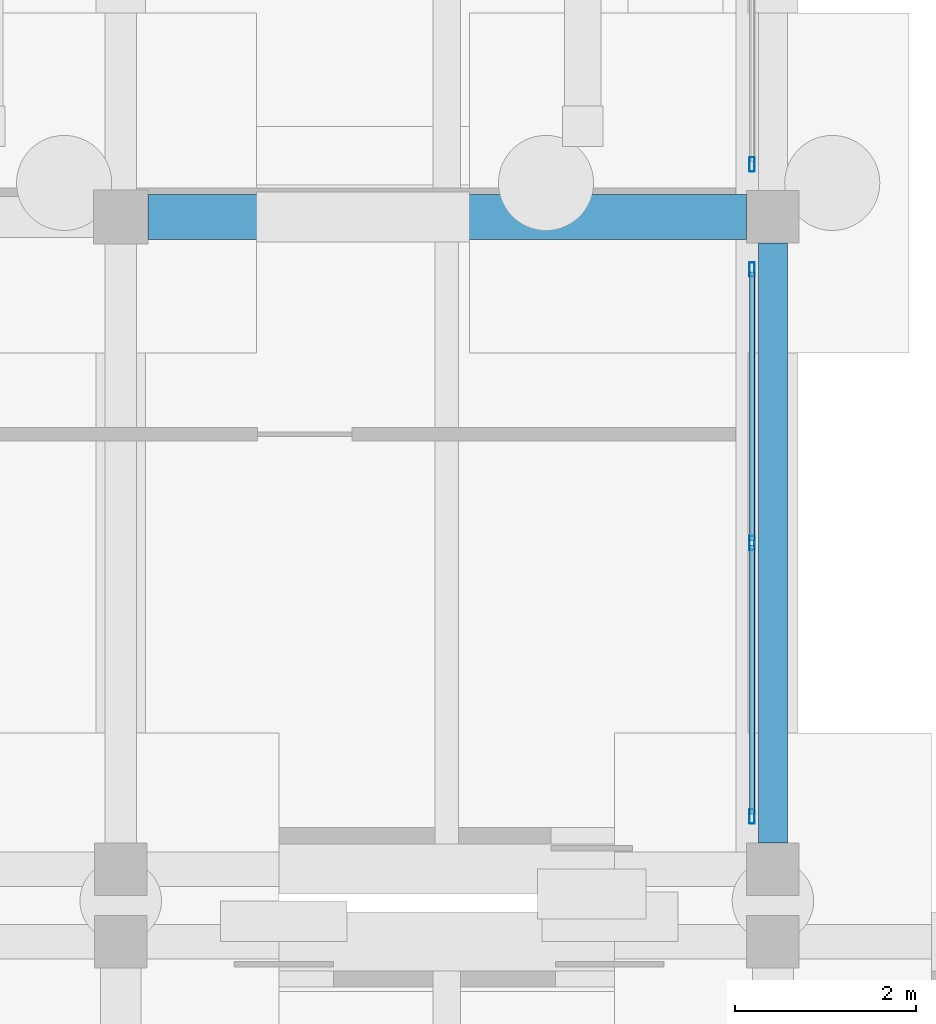
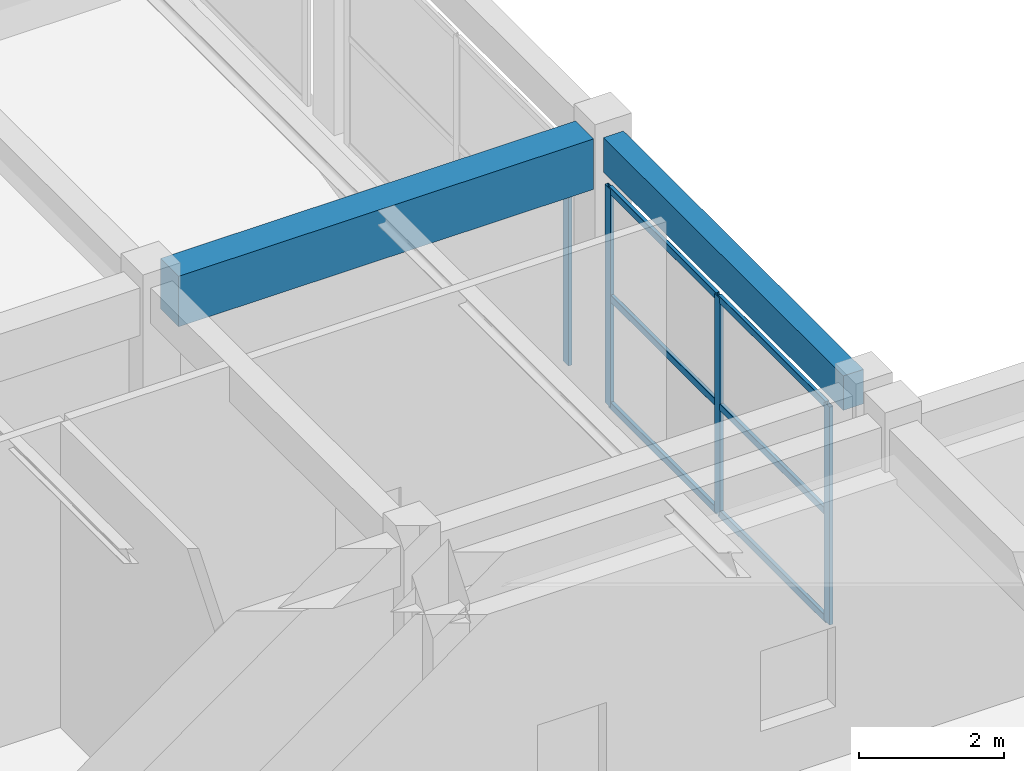
# One storey, part 17 of 91: 10 members, 2 beams, 2 elements without a shape of their own.
"""IFC4 building model written with IfcOpenShell, lengths in metres."""

from ifc_helpers import new_model, si_unit, direction, frame, origin, origin_2d, place, context, subcontext, project, spatial, rectangle, hollow_rectangle, extrude, material, material_profile, profile_set, type_object, element, aggregate, save


model = new_model("IFC4")

# Units and contexts
model_context = context("Model", 3, precision=1e-05, world=origin(), true_north=direction((0.0, 1.0)))
body_context = subcontext(model_context, "Body", "Model", "MODEL_VIEW")
ifc_project = project(units=[si_unit("LENGTHUNIT", "METRE"), si_unit("AREAUNIT", "SQUARE_METRE"), si_unit("VOLUMEUNIT", "CUBIC_METRE"), si_unit("PLANEANGLEUNIT", "RADIAN"), si_unit("MASSUNIT", "GRAM", prefix="KILO")], contexts=[model_context])

# Site, building, storey
site_placement = place(None, origin())
site = spatial("IfcSite", under=ifc_project, at=site_placement, CompositionType="ELEMENT")
building_placement = place(site_placement, origin())
building = spatial("IfcBuilding", under=site, at=building_placement, Name="Bramveld Media Centre", CompositionType="ELEMENT")
storey_placement = place(building_placement, origin())
storey = spatial("IfcBuildingStorey", under=building, at=storey_placement, Name="L00", CompositionType="ELEMENT", Elevation=0.0)

# Beam
ifc_material_1 = material(Name="Concrete C40/50", Category="concrete")
ifc_material_profile_1 = material_profile(ifc_material_1, rectangle(XDim=0.5, YDim=0.85009765625, at=origin_2d()), Name="RC 500x850")
ifc_profile_set_1 = profile_set([ifc_material_profile_1], Name="Concrete C40/50")
beam_type_1 = type_object("IfcBeamType", Name="BM-INT-RC-500x850", PredefinedType="BEAM", material=ifc_profile_set_1)
beam_1_placement = place(storey_placement, frame((29.10009765625, 46.39990234375, 4.715087890625), z_axis=(1.0, 0.0, 0.0), x_axis=(0.0, 1.0, 0.0)))
element("IfcBeam", 1, at=beam_1_placement, inside=storey, type_object=beam_type_1, Name="V3 L00 girder X-200", PredefinedType="BEAM", context=body_context, shape_type="SweptSolid", body=[
    extrude(rectangle(XDim=0.5, YDim=0.85009765625, at=origin_2d()), origin(), (0.0, 0.0, 1.0), 6.60986328125),
])

# Curtain wall, members
ifc_material_2 = material(Name="Thermally broken anodized bronze aluminium unitized curtain wall with solar-control triple glazing", Category="aluminium")
curtain_wall_type = type_object("IfcCurtainWallType", Name="CW-FACV3-6100x3670", PredefinedType="NOTDEFINED", material=ifc_material_2)
curtain_wall_1_placement = place(storey_placement, origin())
curtain_wall_1 = element("IfcCurtainWall", 2, at=curtain_wall_1_placement, inside=storey, type_object=curtain_wall_type, Name="V3 L00 E curtain wall bay 1", PredefinedType="NOTDEFINED")
ifc_material_3 = material(Name="Thermally broken anodized bronze aluminium EN AW-6063 T6 curtain-wall framing", Category="aluminium")
ifc_material_profile_2 = material_profile(ifc_material_3, hollow_rectangle(XDim=0.06005859375, YDim=0.159912109375, WallThickness=0.00390625, InnerFilletRadius=0.00390625, OuterFilletRadius=0.008056640625, at=origin_2d()), Name="AL-MULL 60x160")
ifc_profile_set_2 = profile_set([ifc_material_profile_2], Name="Thermally broken anodized bronze aluminium EN AW-6063 T6 curtain-wall framing")
member_type_1 = type_object("IfcMemberType", Name="CW-MULL-EXT", PredefinedType="MULLION", material=ifc_profile_set_2)
member_1_placement = place(storey_placement, frame((35.77001953125, 39.780029296875, 0.85009765625), z_axis=(0.0, 0.0, 1.0), x_axis=(-1.0, 0.0, 0.0)))
member_1 = element("IfcMember", 3, at=member_1_placement, type_object=member_type_1, Name="CW-FA-6136 mullion 1", PredefinedType="MULLION", context=body_context, shape_type="SweptSolid", body=[
    extrude(hollow_rectangle(XDim=0.06005859375, YDim=0.159912109375, WallThickness=0.00390625, InnerFilletRadius=0.00390625, OuterFilletRadius=0.008056640625, at=origin_2d()), origin(), (0.0, 0.0, 1.0), 3.669921875),
])
member_2_placement = place(storey_placement, frame((35.77001953125, 42.800048828125, 0.85009765625), z_axis=(0.0, 0.0, 1.0), x_axis=(-1.0, 0.0, 0.0)))
member_2 = element("IfcMember", 4, at=member_2_placement, type_object=member_type_1, Name="CW-FA-6136 mullion 2", PredefinedType="MULLION", context=body_context, shape_type="SweptSolid", body=[
    extrude(hollow_rectangle(XDim=0.06005859375, YDim=0.159912109375, WallThickness=0.00390625, InnerFilletRadius=0.00390625, OuterFilletRadius=0.008056640625, at=origin_2d()), origin(), (0.0, 0.0, 1.0), 3.669921875),
])
member_3_placement = place(storey_placement, frame((35.77001953125, 45.820068359375, 0.85009765625), z_axis=(0.0, 0.0, 1.0), x_axis=(-1.0, 0.0, 0.0)))
member_3 = element("IfcMember", 5, at=member_3_placement, type_object=member_type_1, Name="CW-FA-6136 mullion 3", PredefinedType="MULLION", context=body_context, shape_type="SweptSolid", body=[
    extrude(hollow_rectangle(XDim=0.06005859375, YDim=0.159912109375, WallThickness=0.00390625, InnerFilletRadius=0.00390625, OuterFilletRadius=0.008056640625, at=origin_2d()), origin(), (0.0, 0.0, 1.0), 3.669921875),
])

# Curtain wall, member
curtain_wall_2_placement = place(storey_placement, origin())
curtain_wall_2 = element("IfcCurtainWall", 6, at=curtain_wall_2_placement, inside=storey, type_object=curtain_wall_type, Name="V3 L00 E curtain wall bay 2", PredefinedType="NOTDEFINED")
member_4_placement = place(storey_placement, frame((35.77001953125, 46.97998046875, 0.85009765625), z_axis=(0.0, 0.0, 1.0), x_axis=(-1.0, 0.0, 0.0)))
member_4 = element("IfcMember", 7, at=member_4_placement, type_object=member_type_1, Name="CW-FA-6136 mullion 1", PredefinedType="MULLION", context=body_context, shape_type="SweptSolid", body=[
    extrude(hollow_rectangle(XDim=0.06005859375, YDim=0.159912109375, WallThickness=0.00390625, InnerFilletRadius=0.00390625, OuterFilletRadius=0.008056640625, at=origin_2d()), origin(), (0.0, 0.0, 1.0), 3.669921875),
])
aggregate(curtain_wall_2, [member_4])

# Member
ifc_material_4 = material(Name="Thermally broken anodized bronze aluminium EN AW-6063 T6 curtain-wall framing", Category="aluminium")
ifc_material_profile_3 = material_profile(ifc_material_4, hollow_rectangle(XDim=0.06005859375, YDim=0.1201171875, WallThickness=0.00341796875, InnerFilletRadius=0.00341796875, OuterFilletRadius=0.007080078125, at=origin_2d()), Name="AL-TRAN 60x120")
ifc_profile_set_3 = profile_set([ifc_material_profile_3], Name="Thermally broken anodized bronze aluminium EN AW-6063 T6 curtain-wall framing")
member_type_2 = type_object("IfcMemberType", Name="CW-TRAN-EXT", PredefinedType="USERDEFINED", material=ifc_profile_set_3)
member_5_placement = place(storey_placement, frame((35.77001953125, 39.81005859375, 0.8798828125), z_axis=(0.0, 1.0, 0.0), x_axis=(-1.0, 0.0, 0.0)))
member_5 = element("IfcMember", 8, at=member_5_placement, type_object=member_type_2, Name="CW-FA-6136 transom 1.1", ObjectType="TRANSOM", PredefinedType="USERDEFINED", context=body_context, shape_type="SweptSolid", body=[
    extrude(hollow_rectangle(XDim=0.06005859375, YDim=0.1201171875, WallThickness=0.00341796875, InnerFilletRadius=0.00341796875, OuterFilletRadius=0.007080078125, at=origin_2d()), origin(), (0.0, 0.0, 1.0), 2.9599609375),
])

member_6_placement = place(storey_placement, frame((35.77001953125, 39.81005859375, 2.68505859375), z_axis=(0.0, 1.0, 0.0), x_axis=(-1.0, 0.0, 0.0)))
member_6 = element("IfcMember", 9, at=member_6_placement, type_object=member_type_2, Name="CW-FA-6136 transom 1.2", ObjectType="TRANSOM", PredefinedType="USERDEFINED", context=body_context, shape_type="SweptSolid", body=[
    extrude(hollow_rectangle(XDim=0.06005859375, YDim=0.1201171875, WallThickness=0.00341796875, InnerFilletRadius=0.00341796875, OuterFilletRadius=0.007080078125, at=origin_2d()), origin(), (0.0, 0.0, 1.0), 2.9599609375),
])

member_7_placement = place(storey_placement, frame((35.77001953125, 39.81005859375, 4.489990234375), z_axis=(0.0, 1.0, 0.0), x_axis=(-1.0, 0.0, 0.0)))
member_7 = element("IfcMember", 10, at=member_7_placement, type_object=member_type_2, Name="CW-FA-6136 transom 1.3", ObjectType="TRANSOM", PredefinedType="USERDEFINED", context=body_context, shape_type="SweptSolid", body=[
    extrude(hollow_rectangle(XDim=0.06005859375, YDim=0.1201171875, WallThickness=0.00341796875, InnerFilletRadius=0.00341796875, OuterFilletRadius=0.007080078125, at=origin_2d()), origin(), (0.0, 0.0, 1.0), 2.9599609375),
])

member_8_placement = place(storey_placement, frame((35.77001953125, 42.830078125, 0.8798828125), z_axis=(0.0, 1.0, 0.0), x_axis=(-1.0, 0.0, 0.0)))
member_8 = element("IfcMember", 11, at=member_8_placement, type_object=member_type_2, Name="CW-FA-6136 transom 2.1", ObjectType="TRANSOM", PredefinedType="USERDEFINED", context=body_context, shape_type="SweptSolid", body=[
    extrude(hollow_rectangle(XDim=0.06005859375, YDim=0.1201171875, WallThickness=0.00341796875, InnerFilletRadius=0.00341796875, OuterFilletRadius=0.007080078125, at=origin_2d()), origin(), (0.0, 0.0, 1.0), 2.9599609375),
])

member_9_placement = place(storey_placement, frame((35.77001953125, 42.830078125, 2.68505859375), z_axis=(0.0, 1.0, 0.0), x_axis=(-1.0, 0.0, 0.0)))
member_9 = element("IfcMember", 12, at=member_9_placement, type_object=member_type_2, Name="CW-FA-6136 transom 2.2", ObjectType="TRANSOM", PredefinedType="USERDEFINED", context=body_context, shape_type="SweptSolid", body=[
    extrude(hollow_rectangle(XDim=0.06005859375, YDim=0.1201171875, WallThickness=0.00341796875, InnerFilletRadius=0.00341796875, OuterFilletRadius=0.007080078125, at=origin_2d()), origin(), (0.0, 0.0, 1.0), 2.9599609375),
])

member_10_placement = place(storey_placement, frame((35.77001953125, 42.830078125, 4.489990234375), z_axis=(0.0, 1.0, 0.0), x_axis=(-1.0, 0.0, 0.0)))
member_10 = element("IfcMember", 13, at=member_10_placement, type_object=member_type_2, Name="CW-FA-6136 transom 2.3", ObjectType="TRANSOM", PredefinedType="USERDEFINED", context=body_context, shape_type="SweptSolid", body=[
    extrude(hollow_rectangle(XDim=0.06005859375, YDim=0.1201171875, WallThickness=0.00341796875, InnerFilletRadius=0.00341796875, OuterFilletRadius=0.007080078125, at=origin_2d()), origin(), (0.0, 0.0, 1.0), 2.9599609375),
])

aggregate(curtain_wall_1, [member_1, member_2, member_3, member_5, member_6, member_7, member_8, member_9, member_10])

# Beam
ifc_material_5 = material(Name="Concrete C40/50", Category="concrete")
ifc_material_profile_4 = material_profile(ifc_material_5, rectangle(XDim=0.320068359375, YDim=0.580078125, at=origin_2d()), Name="RC 320x580")
ifc_profile_set_4 = profile_set([ifc_material_profile_4], Name="Concrete C40/50")
beam_type_2 = type_object("IfcBeamType", Name="SPANDREL-EXT-RC-320x580", PredefinedType="SPANDREL", material=ifc_profile_set_4)
beam_2_placement = place(storey_placement, frame((36.0, 39.489990234375, 4.85009765625), z_axis=(0.0, 1.0, 0.0), x_axis=(-1.0, 0.0, 0.0)))
element("IfcBeam", 14, at=beam_2_placement, inside=storey, type_object=beam_type_2, Name="V3 L00 girder Y-235", PredefinedType="SPANDREL", context=body_context, shape_type="SweptSolid", body=[
    extrude(rectangle(XDim=0.320068359375, YDim=0.580078125, at=origin_2d()), origin(), (0.0, 0.0, 1.0), 6.6201171875),
])

save(model, "model.ifc")
